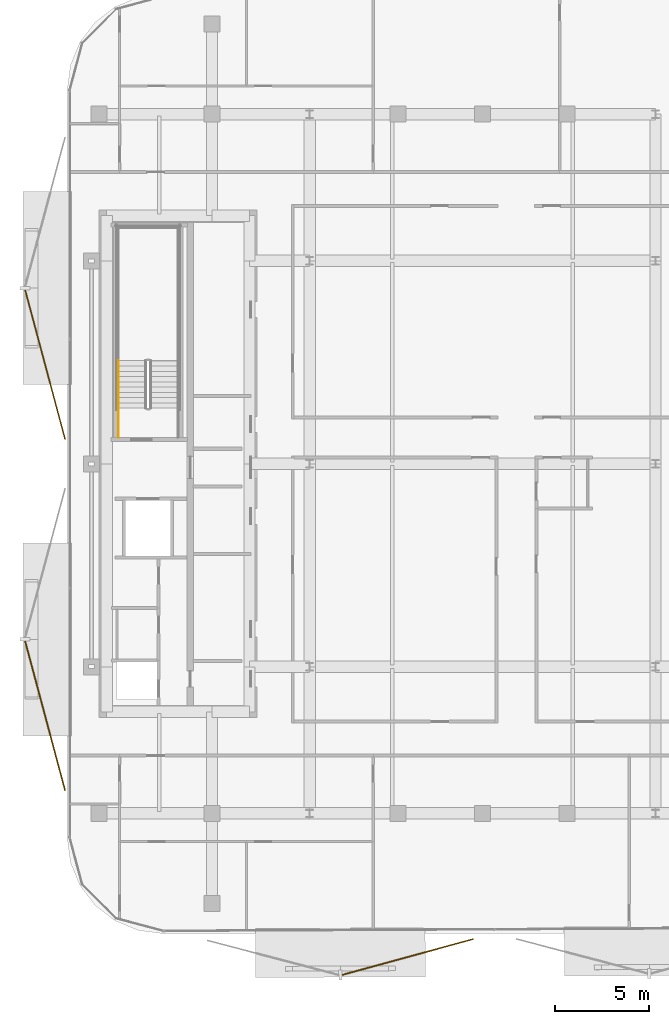
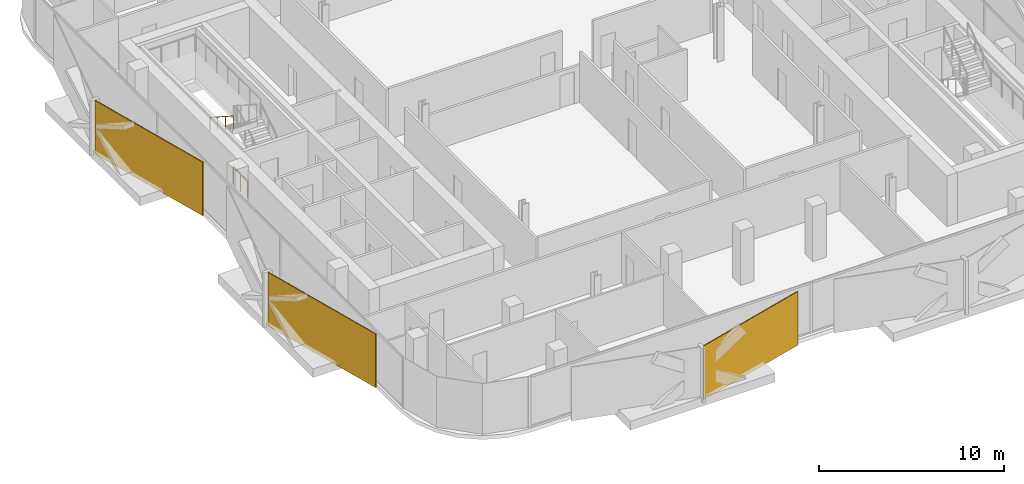
# One storey, part 11 of 14: 3 coverings, 2 railings.
"""IFC4 building model written with IfcOpenShell, lengths in metres."""

from ifc_helpers import new_model, si_unit, direction, frame, origin, origin_2d, place, context, subcontext, project, spatial, rectangle, circle, extrude, material, layer, layer_set, type_object, element, save


model = new_model("IFC4")

# Units and contexts
model_context = context("Model", 3, precision=1e-05, world=origin(), true_north=direction((0.0, 1.0)))
body_context = subcontext(model_context, "Body", "Model", "MODEL_VIEW")
ifc_project = project(units=[si_unit("LENGTHUNIT", "METRE"), si_unit("AREAUNIT", "SQUARE_METRE"), si_unit("VOLUMEUNIT", "CUBIC_METRE"), si_unit("PLANEANGLEUNIT", "RADIAN"), si_unit("MASSUNIT", "GRAM", prefix="KILO")], contexts=[model_context])

# Site, building, storey
site_placement = place(None, origin())
site = spatial("IfcSite", under=ifc_project, at=site_placement, CompositionType="ELEMENT")
building_placement = place(site_placement, origin())
building = spatial("IfcBuilding", under=site, at=building_placement, Name="Khairoan Windgate Tower", CompositionType="ELEMENT")
storey_placement = place(building_placement, frame((0.0, 0.0, 236.800048828125)))
storey = spatial("IfcBuildingStorey", under=building, at=storey_placement, Name="L55", CompositionType="ELEMENT", Elevation=236.800048828125)

# Coverings
ifc_material_1 = material(Name="Anodised Bronze Aluminium 6063-T6", Category="aluminium")
ifc_layer = layer(ifc_material_1, 0.054931640625, Name="Anodised Bronze Aluminium 6063-T6")
ifc_layer_set = layer_set([ifc_layer], Name="Anodised Bronze Aluminium 6063-T6")
covering_type = type_object("IfcCoveringType", Name="Perforated Bronze-Ceramic Folded Solar Screen Cladding BSC-1", PredefinedType="CLADDING", material=ifc_layer_set)
covering_placement = place(storey_placement, frame((-3.982421875, -26.241455078125, -0.10009765625), z_axis=(0.0, 0.0, 1.0), x_axis=(-0.964649468762, -0.263536339841, 0.0)))
element("IfcCovering", 1, at=covering_placement, inside=storey, type_object=covering_type, Name="L55 Folded Bronze Solar Screen Facet 370L", PredefinedType="CLADDING", context=body_context, shape_type="SweptSolid", body=[
    extrude(rectangle(XDim=7.23193359375, YDim=0.054931640625, at=origin_2d()), origin(), (0.0, 0.0, 1.0), 3.5400390625),
])
for number, where, z_axis, x_axis, name in (
    (2, (-23.275634765625, -13.4072265625, -0.10009765625), (0.0, 0.0, 1.0), (-0.258819045103, 0.965925826289, 0.0), "L55 Folded Bronze Solar Screen Facet 371L"),
    (3, (-23.275634765625, 5.283447265625, -0.10009765625), (0.0, 0.0, 1.0), (-0.258819045103, 0.965925826289, 0.0), "L55 Folded Bronze Solar Screen Facet 372L"),
):
    element("IfcCovering", number, at=place(storey_placement, frame(where, z_axis=z_axis, x_axis=x_axis)), inside=storey, type_object=covering_type, Name=name, PredefinedType="CLADDING", context=body_context, shape_type="SweptSolid", body=[
        extrude(rectangle(XDim=8.22412109375, YDim=0.054931640625, at=origin_2d()), origin(), (0.0, 0.0, 1.0), 3.5400390625),
    ])

# Railings
ifc_material_2 = material(Name="Anodised Bronze Aluminium 6063-T6", Category="aluminium")
railing_type_1 = type_object("IfcRailingType", Name="Stair Wall Handrail SHR-900", PredefinedType="HANDRAIL", material=ifc_material_2)
railing_1_placement = place(storey_placement, frame((-19.3701171875, 5.47998046875, 1.97998046875)))
element("IfcRailing", 4, at=railing_1_placement, inside=storey, type_object=railing_type_1, Name="L55 ST2 stair handrail 2", PredefinedType="HANDRAIL", context=body_context, shape_type="SweptSolid", body=[
    extrude(circle(Radius=0.02392578125, at=origin_2d()), frame((0.0, 0.0, 0.8759765625), z_axis=(0.0, -0.841199657755, 0.540724639528), x_axis=(1.0, 0.0, 0.0)), (0.0, 0.0, 1.0), 2.995849609375),
    extrude(circle(Radius=0.02099609375, at=origin_2d()), origin(), (0.0, 0.0, 1.0), 0.851806640625),
    extrude(circle(Radius=0.02099609375, at=origin_2d()), frame((0.0, -0.840087890625, 0.5400390625)), (0.0, 0.0, 1.0), 0.851806640625),
    extrude(circle(Radius=0.02099609375, at=origin_2d()), frame((0.0, -1.679931640625, 1.079833984375)), (0.0, 0.0, 1.0), 0.851806640625),
    extrude(circle(Radius=0.02099609375, at=origin_2d()), frame((0.0, -2.52001953125, 1.619873046875)), (0.0, 0.0, 1.0), 0.851806640625),
])
ifc_material_3 = material(Name="Steel S355", Category="steel")
railing_type_2 = type_object("IfcRailingType", Name="Stairwell Safety Guardrail SGR-1150", PredefinedType="GUARDRAIL", material=ifc_material_3)
railing_2_placement = place(storey_placement, frame((-19.3701171875, 1.39990234375, 0.0)))
element("IfcRailing", 5, at=railing_2_placement, inside=storey, type_object=railing_type_2, Name="L55 ST2 stair guard 9", PredefinedType="GUARDRAIL", context=body_context, shape_type="SweptSolid", body=[
    extrude(circle(Radius=0.02392578125, at=origin_2d()), frame((0.0, 0.0, 1.1259765625), z_axis=(0.0, 1.0, 0.0), x_axis=(-1.0, 0.0, 0.0)), (0.0, 0.0, 1.0), 1.56005859375),
    extrude(circle(Radius=0.02099609375, at=origin_2d()), origin(), (0.0, 0.0, 1.0), 1.101806640625),
    extrude(circle(Radius=0.02099609375, at=origin_2d()), frame((0.0, 0.780029296875, 0.0)), (0.0, 0.0, 1.0), 1.101806640625),
    extrude(circle(Radius=0.02099609375, at=origin_2d()), frame((0.0, 1.56005859375, 0.0)), (0.0, 0.0, 1.0), 1.101806640625),
])

save(model, "model.ifc")
